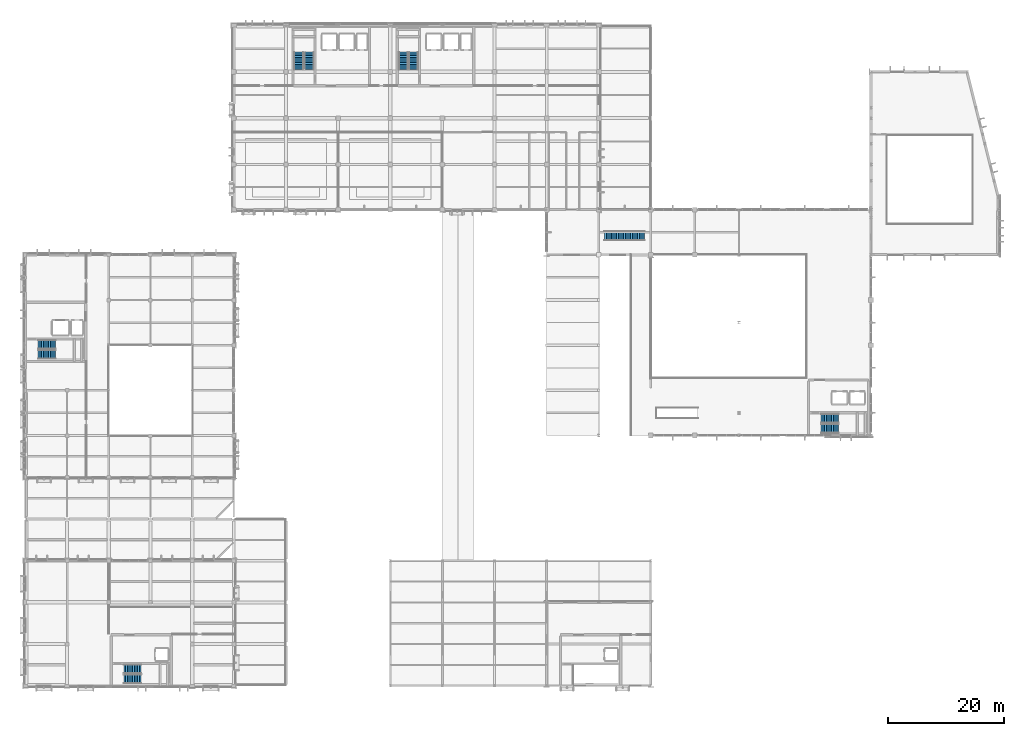
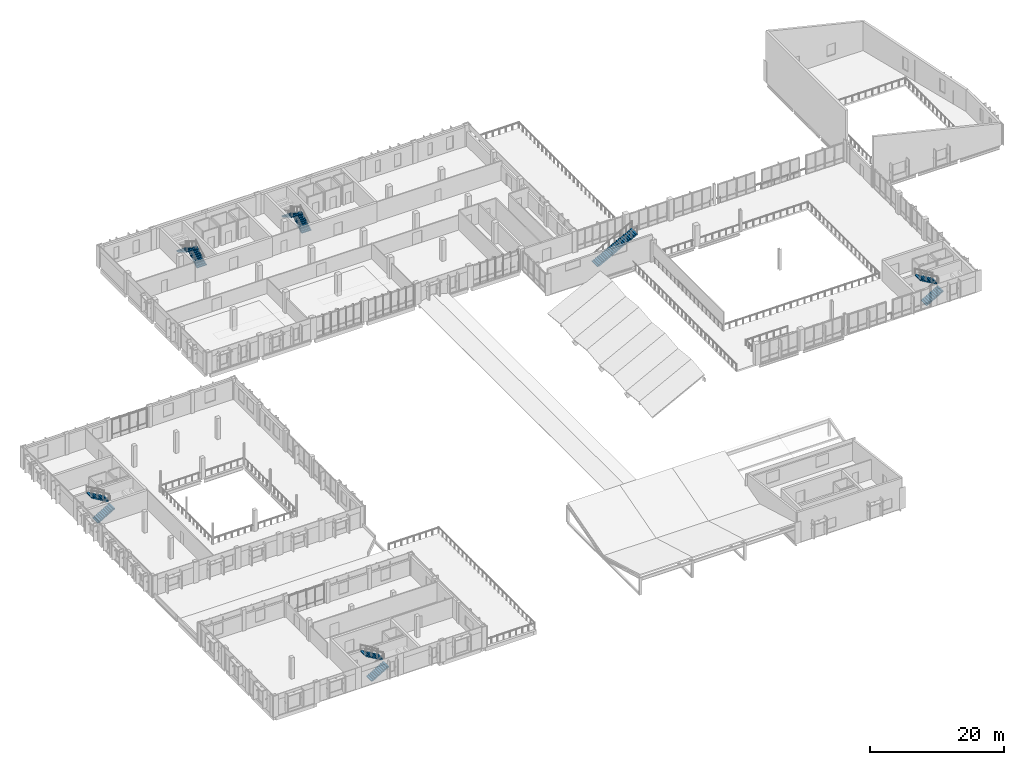
# One storey, part 47 of 64: 11 stair flights, 6 elements without a shape of their own.
"""IFC4 building model written with IfcOpenShell, lengths in metres."""

from ifc_helpers import new_model, si_unit, direction, frame, origin, place, context, subcontext, project, spatial, polyline, outline, extrude, material, type_object, element, aggregate, save


model = new_model("IFC4")

# Units and contexts
model_context = context("Model", 3, precision=1e-05, world=origin(), true_north=direction((0.0, 1.0)))
body_context = subcontext(model_context, "Body", "Model", "MODEL_VIEW")
ifc_project = project(units=[si_unit("LENGTHUNIT", "METRE"), si_unit("AREAUNIT", "SQUARE_METRE"), si_unit("VOLUMEUNIT", "CUBIC_METRE"), si_unit("PLANEANGLEUNIT", "RADIAN"), si_unit("MASSUNIT", "GRAM", prefix="KILO")], contexts=[model_context])

# Site, building, storey
site_placement = place(None, origin())
site = spatial("IfcSite", under=ifc_project, at=site_placement, CompositionType="ELEMENT")
building_placement = place(site_placement, origin())
building = spatial("IfcBuilding", under=site, at=building_placement, Name="Vervanel Yard Central Library", CompositionType="ELEMENT")
storey_placement = place(building_placement, frame((0.0, 0.0, 8.93994140625)))
storey = spatial("IfcBuildingStorey", under=building, at=storey_placement, Name="L02", CompositionType="ELEMENT", Elevation=8.93994140625)

# Stair, stair flight
ifc_material_1 = material(Name="Concrete C45/55", Category="concrete")
stair_type_1 = type_object("IfcStairType", Name="Architectural Feature Straight Stair FS-ST-04", PredefinedType="STRAIGHT_RUN_STAIR", material=ifc_material_1)
stair_1_placement = place(storey_placement, origin())
stair_1 = element("IfcStair", 1, at=stair_1_placement, inside=storey, type_object=stair_type_1, Name="L02 Feature Stair FS-ST-04", PredefinedType="STRAIGHT_RUN_STAIR")
stair_flight_type_1 = type_object("IfcStairFlightType", Name="Feature Stair Flight FS-ST-04-FL", PredefinedType="STRAIGHT", material=ifc_material_1)
stair_flight_1_placement = place(storey_placement, frame((100.0, 77.699951171875, 0.0), z_axis=(0.0, 0.0, 1.0), x_axis=(1.0, 0.0, 0.0)))
stair_flight_1 = element("IfcStairFlight", 2, at=stair_flight_1_placement, type_object=stair_flight_type_1, Name="FST-04-L02 Flight 1", NumberOfRisers=24, NumberOfTreads=23, PredefinedType="STRAIGHT", RiserHeight=0.16, TreadLength=0.3, context=body_context, shape_type="SweptSolid", body=[
    extrude(outline(polyline([(0.0, 0.0), (0.0, 0.159912109375), (0.300048828125, 0.159912109375), (0.300048828125, 0.320068359375), (0.60009765625, 0.320068359375), (0.60009765625, 0.47998046875), (0.89990234375, 0.47998046875), (0.89990234375, 0.639892578125), (1.199951171875, 0.639892578125), (1.199951171875, 0.800048828125), (1.5, 0.800048828125), (1.5, 0.9599609375), (1.800048828125, 0.9599609375), (1.800048828125, 1.1201171875), (2.10009765625, 1.1201171875), (2.10009765625, 1.280029296875), (2.39990234375, 1.280029296875), (2.39990234375, 1.43994140625), (2.699951171875, 1.43994140625), (2.699951171875, 1.60009765625), (3.0, 1.60009765625), (3.0, 1.760009765625), (3.300048828125, 1.760009765625), (3.300048828125, 1.919921875), (3.60009765625, 1.919921875), (3.60009765625, 2.080078125), (3.89990234375, 2.080078125), (3.89990234375, 2.239990234375), (4.199951171875, 2.239990234375), (4.199951171875, 2.39990234375), (4.5, 2.39990234375), (4.5, 2.56005859375), (4.800048828125, 2.56005859375), (4.800048828125, 2.719970703125), (5.10009765625, 2.719970703125), (5.10009765625, 2.8798828125), (5.39990234375, 2.8798828125), (5.39990234375, 3.0400390625), (5.699951171875, 3.0400390625), (5.699951171875, 3.199951171875), (6.0, 3.199951171875), (6.0, 3.360107421875), (6.300048828125, 3.360107421875), (6.300048828125, 3.52001953125), (6.60009765625, 3.52001953125), (6.60009765625, 3.679931640625), (6.89990234375, 3.679931640625), (6.89990234375, 3.840087890625), (6.89990234375, 3.453369140625), (0.4248046875, 0.0), (0.0, 0.0)])), frame((0.0, 0.81982421875, 0.0), z_axis=(0.0, -1.0, 0.0), x_axis=(1.0, 0.0, 0.0)), (0.0, 0.0, 1.0), 1.639892578125),
])
aggregate(stair_1, [stair_flight_1])

# Stair, stair flights
ifc_material_2 = material(Name="Concrete C40/50", Category="concrete")
stair_type_2 = type_object("IfcStairType", Name="Protected Core Dog-Leg Stair ST-01", PredefinedType="HALF_TURN_STAIR", material=ifc_material_2)
stair_2_placement = place(storey_placement, origin())
stair_2 = element("IfcStair", 3, at=stair_2_placement, inside=storey, type_object=stair_type_2, Name="L02 CORE-A Protected Exit Stair", PredefinedType="HALF_TURN_STAIR")
stair_flight_type_2 = type_object("IfcStairFlightType", Name="Protected Stair Flight ST-01-FL", PredefinedType="STRAIGHT", material=ifc_material_2)
stair_flight_2_placement = place(storey_placement, frame((49.02490234375, 106.39990234375, 0.0), z_axis=(0.0, 0.0, 1.0), x_axis=(0.0, 1.0, 0.0)))
stair_flight_2 = element("IfcStairFlight", 4, at=stair_flight_2_placement, type_object=stair_flight_type_2, Name="ST-01 flight 1", NumberOfRisers=11, NumberOfTreads=10, PredefinedType="STRAIGHT", RiserHeight=0.174545455, TreadLength=0.3, context=body_context, shape_type="SweptSolid", body=[
    extrude(outline(polyline([(0.0, 0.0), (0.0, 0.174560546875), (0.300048828125, 0.174560546875), (0.300048828125, 0.34912109375), (0.60009765625, 0.34912109375), (0.60009765625, 0.523681640625), (0.89990234375, 0.523681640625), (0.89990234375, 0.6982421875), (1.199951171875, 0.6982421875), (1.199951171875, 0.872802734375), (1.5, 0.872802734375), (1.5, 1.04736328125), (1.800048828125, 1.04736328125), (1.800048828125, 1.221923828125), (2.10009765625, 1.221923828125), (2.10009765625, 1.396484375), (2.39990234375, 1.396484375), (2.39990234375, 1.57080078125), (2.699951171875, 1.57080078125), (2.699951171875, 1.745361328125), (3.0, 1.745361328125), (3.0, 1.919921875), (3.0, 1.572021484375), (0.298095703125, 0.0), (0.0, 0.0)])), frame((0.0, 0.824951171875, 0.0), z_axis=(0.0, -1.0, 0.0), x_axis=(1.0, 0.0, 0.0)), (0.0, 0.0, 1.0), 1.64990234375),
])
stair_flight_3_placement = place(storey_placement, frame((47.215087890625, 109.39990234375, 1.920166015625), z_axis=(0.0, 0.0, 1.0), x_axis=(0.0, -1.0, 0.0)))
stair_flight_3 = element("IfcStairFlight", 5, at=stair_flight_3_placement, type_object=stair_flight_type_2, Name="ST-01 flight 2", NumberOfRisers=11, NumberOfTreads=10, PredefinedType="STRAIGHT", RiserHeight=0.174545455, TreadLength=0.3, context=body_context, shape_type="SweptSolid", body=[
    extrude(outline(polyline([(0.0, 0.0), (0.0, 0.174560546875), (0.300048828125, 0.174560546875), (0.300048828125, 0.34912109375), (0.60009765625, 0.34912109375), (0.60009765625, 0.523681640625), (0.89990234375, 0.523681640625), (0.89990234375, 0.6982421875), (1.199951171875, 0.6982421875), (1.199951171875, 0.872802734375), (1.5, 0.872802734375), (1.5, 1.04736328125), (1.800048828125, 1.04736328125), (1.800048828125, 1.221923828125), (2.10009765625, 1.221923828125), (2.10009765625, 1.396484375), (2.39990234375, 1.396484375), (2.39990234375, 1.57080078125), (2.699951171875, 1.57080078125), (2.699951171875, 1.745361328125), (3.0, 1.745361328125), (3.0, 1.919921875), (3.0, 1.572021484375), (0.298095703125, 0.0), (0.0, 0.0)])), frame((0.0, 0.824951171875, 0.0), z_axis=(0.0, -1.0, 0.0), x_axis=(1.0, 0.0, 0.0)), (0.0, 0.0, 1.0), 1.64990234375),
])
aggregate(stair_2, [stair_flight_2, stair_flight_3])

stair_type_3 = type_object("IfcStairType", Name="Protected Core Dog-Leg Stair ST-02", PredefinedType="HALF_TURN_STAIR", material=ifc_material_2)
stair_3_placement = place(storey_placement, origin())
stair_3 = element("IfcStair", 6, at=stair_3_placement, inside=storey, type_object=stair_type_3, Name="L02 CORE-B Protected Exit Stair", PredefinedType="HALF_TURN_STAIR")
stair_flight_type_3 = type_object("IfcStairFlightType", Name="Protected Stair Flight ST-02-FL", PredefinedType="STRAIGHT", material=ifc_material_2)
stair_flight_4_placement = place(storey_placement, frame((67.0400390625, 106.39990234375, 0.0), z_axis=(0.0, 0.0, 1.0), x_axis=(0.0, 1.0, 0.0)))
stair_flight_4 = element("IfcStairFlight", 7, at=stair_flight_4_placement, type_object=stair_flight_type_3, Name="ST-02 flight 1", NumberOfRisers=11, NumberOfTreads=10, PredefinedType="STRAIGHT", RiserHeight=0.174545455, TreadLength=0.3, context=body_context, shape_type="SweptSolid", body=[
    extrude(outline(polyline([(0.0, 0.0), (0.0, 0.174560546875), (0.300048828125, 0.174560546875), (0.300048828125, 0.34912109375), (0.60009765625, 0.34912109375), (0.60009765625, 0.523681640625), (0.89990234375, 0.523681640625), (0.89990234375, 0.6982421875), (1.199951171875, 0.6982421875), (1.199951171875, 0.872802734375), (1.5, 0.872802734375), (1.5, 1.04736328125), (1.800048828125, 1.04736328125), (1.800048828125, 1.221923828125), (2.10009765625, 1.221923828125), (2.10009765625, 1.396484375), (2.39990234375, 1.396484375), (2.39990234375, 1.57080078125), (2.699951171875, 1.57080078125), (2.699951171875, 1.745361328125), (3.0, 1.745361328125), (3.0, 1.919921875), (3.0, 1.572021484375), (0.298095703125, 0.0), (0.0, 0.0)])), frame((0.0, 0.81005859375, 0.0), z_axis=(0.0, -1.0, 0.0), x_axis=(1.0, 0.0, 0.0)), (0.0, 0.0, 1.0), 1.6201171875),
])
stair_flight_5_placement = place(storey_placement, frame((65.260009765625, 109.39990234375, 1.920166015625), z_axis=(0.0, 0.0, 1.0), x_axis=(0.0, -1.0, 0.0)))
stair_flight_5 = element("IfcStairFlight", 8, at=stair_flight_5_placement, type_object=stair_flight_type_3, Name="ST-02 flight 2", NumberOfRisers=11, NumberOfTreads=10, PredefinedType="STRAIGHT", RiserHeight=0.174545455, TreadLength=0.3, context=body_context, shape_type="SweptSolid", body=[
    extrude(outline(polyline([(0.0, 0.0), (0.0, 0.174560546875), (0.300048828125, 0.174560546875), (0.300048828125, 0.34912109375), (0.60009765625, 0.34912109375), (0.60009765625, 0.523681640625), (0.89990234375, 0.523681640625), (0.89990234375, 0.6982421875), (1.199951171875, 0.6982421875), (1.199951171875, 0.872802734375), (1.5, 0.872802734375), (1.5, 1.04736328125), (1.800048828125, 1.04736328125), (1.800048828125, 1.221923828125), (2.10009765625, 1.221923828125), (2.10009765625, 1.396484375), (2.39990234375, 1.396484375), (2.39990234375, 1.57080078125), (2.699951171875, 1.57080078125), (2.699951171875, 1.745361328125), (3.0, 1.745361328125), (3.0, 1.919921875), (3.0, 1.572021484375), (0.298095703125, 0.0), (0.0, 0.0)])), frame((0.0, 0.81005859375, 0.0), z_axis=(0.0, -1.0, 0.0), x_axis=(1.0, 0.0, 0.0)), (0.0, 0.0, 1.0), 1.6201171875),
])
aggregate(stair_3, [stair_flight_4, stair_flight_5])

stair_type_4 = type_object("IfcStairType", Name="Protected Core Dog-Leg Stair ST-03", PredefinedType="HALF_TURN_STAIR", material=ifc_material_2)
stair_4_placement = place(storey_placement, origin())
stair_4 = element("IfcStair", 9, at=stair_4_placement, inside=storey, type_object=stair_type_4, Name="L02 CORE-C Protected Exit Stair", PredefinedType="HALF_TURN_STAIR")
stair_flight_type_4 = type_object("IfcStairFlightType", Name="Protected Stair Flight ST-03-FL", PredefinedType="STRAIGHT", material=ifc_material_2)
stair_flight_6_placement = place(storey_placement, frame((2.199951171875, 57.18994140625, 0.0), z_axis=(0.0, 0.0, 1.0), x_axis=(1.0, 0.0, 0.0)))
stair_flight_6 = element("IfcStairFlight", 10, at=stair_flight_6_placement, type_object=stair_flight_type_4, Name="ST-03 flight 1", NumberOfRisers=11, NumberOfTreads=10, PredefinedType="STRAIGHT", RiserHeight=0.174545455, TreadLength=0.3, context=body_context, shape_type="SweptSolid", body=[
    extrude(outline(polyline([(0.0, 0.0), (0.0, 0.174560546875), (0.300048828125, 0.174560546875), (0.300048828125, 0.34912109375), (0.60009765625, 0.34912109375), (0.60009765625, 0.523681640625), (0.89990234375, 0.523681640625), (0.89990234375, 0.6982421875), (1.199951171875, 0.6982421875), (1.199951171875, 0.872802734375), (1.5, 0.872802734375), (1.5, 1.04736328125), (1.800048828125, 1.04736328125), (1.800048828125, 1.221923828125), (2.10009765625, 1.221923828125), (2.10009765625, 1.396484375), (2.39990234375, 1.396484375), (2.39990234375, 1.57080078125), (2.699951171875, 1.57080078125), (2.699951171875, 1.745361328125), (3.0, 1.745361328125), (3.0, 1.919921875), (3.0, 1.572021484375), (0.298095703125, 0.0), (0.0, 0.0)])), frame((0.0, 0.7900390625, 0.0), z_axis=(0.0, -1.0, 0.0), x_axis=(1.0, 0.0, 0.0)), (0.0, 0.0, 1.0), 1.580078125),
])
stair_flight_7_placement = place(storey_placement, frame((5.199951171875, 58.929931640625, 1.920166015625), z_axis=(0.0, 0.0, 1.0), x_axis=(-1.0, 0.0, 0.0)))
stair_flight_7 = element("IfcStairFlight", 11, at=stair_flight_7_placement, type_object=stair_flight_type_4, Name="ST-03 flight 2", NumberOfRisers=11, NumberOfTreads=10, PredefinedType="STRAIGHT", RiserHeight=0.174545455, TreadLength=0.3, context=body_context, shape_type="SweptSolid", body=[
    extrude(outline(polyline([(0.0, 0.0), (0.0, 0.174560546875), (0.300048828125, 0.174560546875), (0.300048828125, 0.34912109375), (0.60009765625, 0.34912109375), (0.60009765625, 0.523681640625), (0.89990234375, 0.523681640625), (0.89990234375, 0.6982421875), (1.199951171875, 0.6982421875), (1.199951171875, 0.872802734375), (1.5, 0.872802734375), (1.5, 1.04736328125), (1.800048828125, 1.04736328125), (1.800048828125, 1.221923828125), (2.10009765625, 1.221923828125), (2.10009765625, 1.396484375), (2.39990234375, 1.396484375), (2.39990234375, 1.57080078125), (2.699951171875, 1.57080078125), (2.699951171875, 1.745361328125), (3.0, 1.745361328125), (3.0, 1.919921875), (3.0, 1.572021484375), (0.298095703125, 0.0), (0.0, 0.0)])), frame((0.0, 0.7900390625, 0.0), z_axis=(0.0, -1.0, 0.0), x_axis=(1.0, 0.0, 0.0)), (0.0, 0.0, 1.0), 1.580078125),
])
aggregate(stair_4, [stair_flight_6, stair_flight_7])

stair_type_5 = type_object("IfcStairType", Name="Protected Core Dog-Leg Stair ST-04", PredefinedType="HALF_TURN_STAIR", material=ifc_material_2)
stair_5_placement = place(storey_placement, origin())
stair_5 = element("IfcStair", 12, at=stair_5_placement, inside=storey, type_object=stair_type_5, Name="L02 CORE-D Protected Exit Stair", PredefinedType="HALF_TURN_STAIR")
stair_flight_type_5 = type_object("IfcStairFlightType", Name="Protected Stair Flight ST-04-FL", PredefinedType="STRAIGHT", material=ifc_material_2)
stair_flight_8_placement = place(storey_placement, frame((17.0, 1.175048828125, 0.0), z_axis=(0.0, 0.0, 1.0), x_axis=(1.0, 0.0, 0.0)))
stair_flight_8 = element("IfcStairFlight", 13, at=stair_flight_8_placement, type_object=stair_flight_type_5, Name="ST-04 flight 1", NumberOfRisers=11, NumberOfTreads=10, PredefinedType="STRAIGHT", RiserHeight=0.174545455, TreadLength=0.3, context=body_context, shape_type="SweptSolid", body=[
    extrude(outline(polyline([(0.0, 0.0), (0.0, 0.174560546875), (0.300048828125, 0.174560546875), (0.300048828125, 0.34912109375), (0.60009765625, 0.34912109375), (0.60009765625, 0.523681640625), (0.89990234375, 0.523681640625), (0.89990234375, 0.6982421875), (1.199951171875, 0.6982421875), (1.199951171875, 0.872802734375), (1.5, 0.872802734375), (1.5, 1.04736328125), (1.800048828125, 1.04736328125), (1.800048828125, 1.221923828125), (2.10009765625, 1.221923828125), (2.10009765625, 1.396484375), (2.39990234375, 1.396484375), (2.39990234375, 1.57080078125), (2.699951171875, 1.57080078125), (2.699951171875, 1.745361328125), (3.0, 1.745361328125), (3.0, 1.919921875), (3.0, 1.572021484375), (0.298095703125, 0.0), (0.0, 0.0)])), frame((0.0, 0.77490234375, 0.0), z_axis=(0.0, -1.0, 0.0), x_axis=(1.0, 0.0, 0.0)), (0.0, 0.0, 1.0), 1.550048828125),
])
stair_flight_9_placement = place(storey_placement, frame((20.0, 2.885009765625, 1.920166015625), z_axis=(0.0, 0.0, 1.0), x_axis=(-1.0, 0.0, 0.0)))
stair_flight_9 = element("IfcStairFlight", 14, at=stair_flight_9_placement, type_object=stair_flight_type_5, Name="ST-04 flight 2", NumberOfRisers=11, NumberOfTreads=10, PredefinedType="STRAIGHT", RiserHeight=0.174545455, TreadLength=0.3, context=body_context, shape_type="SweptSolid", body=[
    extrude(outline(polyline([(0.0, 0.0), (0.0, 0.174560546875), (0.300048828125, 0.174560546875), (0.300048828125, 0.34912109375), (0.60009765625, 0.34912109375), (0.60009765625, 0.523681640625), (0.89990234375, 0.523681640625), (0.89990234375, 0.6982421875), (1.199951171875, 0.6982421875), (1.199951171875, 0.872802734375), (1.5, 0.872802734375), (1.5, 1.04736328125), (1.800048828125, 1.04736328125), (1.800048828125, 1.221923828125), (2.10009765625, 1.221923828125), (2.10009765625, 1.396484375), (2.39990234375, 1.396484375), (2.39990234375, 1.57080078125), (2.699951171875, 1.57080078125), (2.699951171875, 1.745361328125), (3.0, 1.745361328125), (3.0, 1.919921875), (3.0, 1.572021484375), (0.298095703125, 0.0), (0.0, 0.0)])), frame((0.0, 0.77490234375, 0.0), z_axis=(0.0, -1.0, 0.0), x_axis=(1.0, 0.0, 0.0)), (0.0, 0.0, 1.0), 1.550048828125),
])
aggregate(stair_5, [stair_flight_8, stair_flight_9])

stair_type_6 = type_object("IfcStairType", Name="Protected Core Dog-Leg Stair ST-05", PredefinedType="HALF_TURN_STAIR", material=ifc_material_2)
stair_6_placement = place(storey_placement, origin())
stair_6 = element("IfcStair", 15, at=stair_6_placement, inside=storey, type_object=stair_type_6, Name="L02 CORE-E Protected Exit Stair", PredefinedType="HALF_TURN_STAIR")
stair_flight_type_6 = type_object("IfcStairFlightType", Name="Protected Stair Flight ST-05-FL", PredefinedType="STRAIGHT", material=ifc_material_2)
stair_flight_10_placement = place(storey_placement, frame((137.39990234375, 44.39990234375, 0.0), z_axis=(0.0, 0.0, 1.0), x_axis=(1.0, 0.0, 0.0)))
stair_flight_10 = element("IfcStairFlight", 16, at=stair_flight_10_placement, type_object=stair_flight_type_6, Name="ST-05 flight 1", NumberOfRisers=11, NumberOfTreads=10, PredefinedType="STRAIGHT", RiserHeight=0.174545455, TreadLength=0.3, context=body_context, shape_type="SweptSolid", body=[
    extrude(outline(polyline([(0.0, 0.0), (0.0, 0.174560546875), (0.300048828125, 0.174560546875), (0.300048828125, 0.34912109375), (0.60009765625, 0.34912109375), (0.60009765625, 0.523681640625), (0.89990234375, 0.523681640625), (0.89990234375, 0.6982421875), (1.199951171875, 0.6982421875), (1.199951171875, 0.872802734375), (1.5, 0.872802734375), (1.5, 1.04736328125), (1.800048828125, 1.04736328125), (1.800048828125, 1.221923828125), (2.10009765625, 1.221923828125), (2.10009765625, 1.396484375), (2.39990234375, 1.396484375), (2.39990234375, 1.57080078125), (2.699951171875, 1.57080078125), (2.699951171875, 1.745361328125), (3.0, 1.745361328125), (3.0, 1.919921875), (3.0, 1.572021484375), (0.298095703125, 0.0), (0.0, 0.0)])), frame((0.0, 0.800048828125, 0.0), z_axis=(0.0, -1.0, 0.0), x_axis=(1.0, 0.0, 0.0)), (0.0, 0.0, 1.0), 1.60009765625),
])
stair_flight_11_placement = place(storey_placement, frame((140.39990234375, 46.159912109375, 1.920166015625), z_axis=(0.0, 0.0, 1.0), x_axis=(-1.0, 0.0, 0.0)))
stair_flight_11 = element("IfcStairFlight", 17, at=stair_flight_11_placement, type_object=stair_flight_type_6, Name="ST-05 flight 2", NumberOfRisers=11, NumberOfTreads=10, PredefinedType="STRAIGHT", RiserHeight=0.174545455, TreadLength=0.3, context=body_context, shape_type="SweptSolid", body=[
    extrude(outline(polyline([(0.0, 0.0), (0.0, 0.174560546875), (0.300048828125, 0.174560546875), (0.300048828125, 0.34912109375), (0.60009765625, 0.34912109375), (0.60009765625, 0.523681640625), (0.89990234375, 0.523681640625), (0.89990234375, 0.6982421875), (1.199951171875, 0.6982421875), (1.199951171875, 0.872802734375), (1.5, 0.872802734375), (1.5, 1.04736328125), (1.800048828125, 1.04736328125), (1.800048828125, 1.221923828125), (2.10009765625, 1.221923828125), (2.10009765625, 1.396484375), (2.39990234375, 1.396484375), (2.39990234375, 1.57080078125), (2.699951171875, 1.57080078125), (2.699951171875, 1.745361328125), (3.0, 1.745361328125), (3.0, 1.919921875), (3.0, 1.572021484375), (0.298095703125, 0.0), (0.0, 0.0)])), frame((0.0, 0.800048828125, 0.0), z_axis=(0.0, -1.0, 0.0), x_axis=(1.0, 0.0, 0.0)), (0.0, 0.0, 1.0), 1.60009765625),
])
aggregate(stair_6, [stair_flight_10, stair_flight_11])

save(model, "model.ifc")
